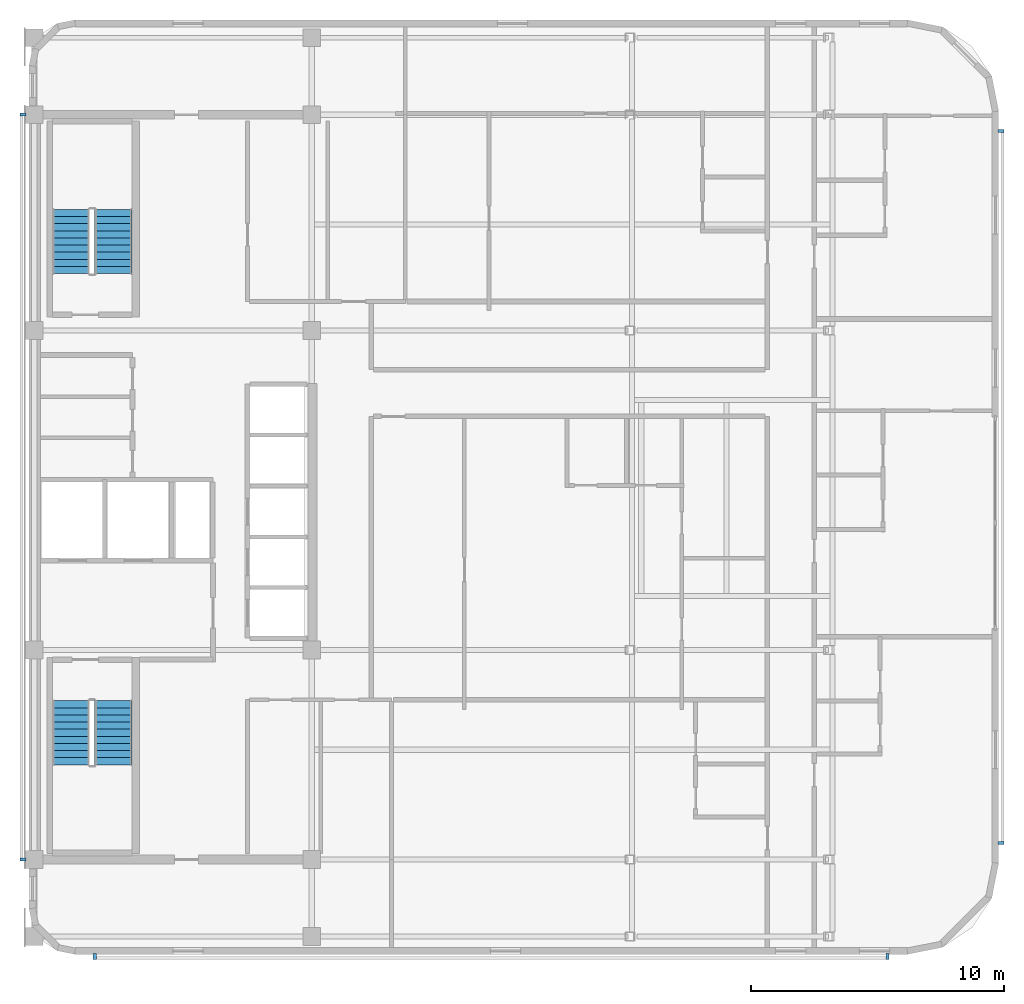
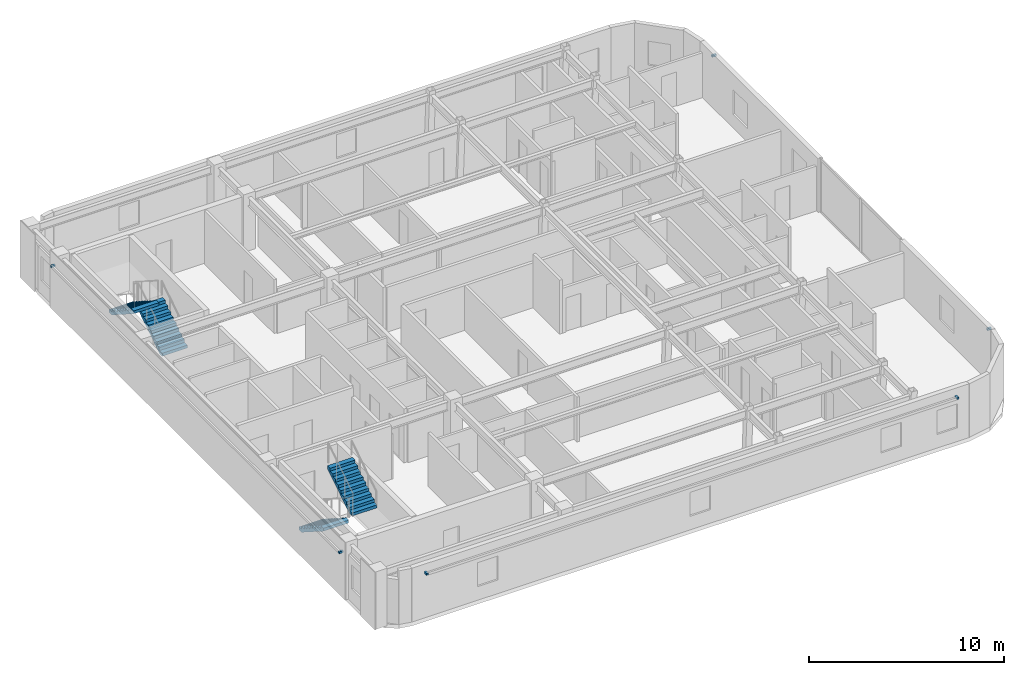
# One storey, part 7 of 10: 6 discrete accessories, 4 stair flights, 2 elements without a shape of their own.
"""IFC4 building model written with IfcOpenShell, lengths in metres."""

from ifc_helpers import new_model, si_unit, direction, frame, origin, origin_2d, place, context, subcontext, project, spatial, polyline, rectangle, outline, extrude, material, type_object, element, aggregate, save


model = new_model("IFC4")

# Units and contexts
model_context = context("Model", 3, precision=1e-05, world=origin(), true_north=direction((0.0, 1.0)))
body_context = subcontext(model_context, "Body", "Model", "MODEL_VIEW")
ifc_project = project(units=[si_unit("LENGTHUNIT", "METRE"), si_unit("AREAUNIT", "SQUARE_METRE"), si_unit("VOLUMEUNIT", "CUBIC_METRE"), si_unit("PLANEANGLEUNIT", "RADIAN"), si_unit("MASSUNIT", "GRAM", prefix="KILO")], contexts=[model_context])

# Site, building, storey
site_placement = place(None, origin())
site = spatial("IfcSite", under=ifc_project, at=site_placement, CompositionType="ELEMENT")
building_placement = place(site_placement, origin())
building = spatial("IfcBuilding", under=site, at=building_placement, Name="Ochreholt Gables", CompositionType="ELEMENT")
storey_placement = place(building_placement, frame((0.0, 0.0, 223.800048828125)))
storey = spatial("IfcBuildingStorey", under=building, at=storey_placement, Name="L58", CompositionType="ELEMENT", Elevation=223.800048828125)

# Stair, stair flights
ifc_material_1 = material(Name="Concrete 40 MPa", Category="concrete")
stair_type_1 = type_object("IfcStairType", Name="STAIR-CORE-ST-1", PredefinedType="HALF_TURN_STAIR", material=ifc_material_1)
stair_1_placement = place(storey_placement, origin())
stair_1 = element("IfcStair", 1, at=stair_1_placement, inside=storey, type_object=stair_type_1, Name="L58 Core Exit Stair 1", PredefinedType="HALF_TURN_STAIR")
stair_flight_type = type_object("IfcStairFlightType", Name="FLIGHT-ST-1480-1800", PredefinedType="STRAIGHT", material=ifc_material_1)
stair_flight_1_placement = place(storey_placement, frame((25.659912109375, 15.5400390625, 0.0), z_axis=(0.0, 0.0, 1.0), x_axis=(0.0, -1.0, 0.0)))
stair_flight_1 = element("IfcStairFlight", 2, at=stair_flight_1_placement, type_object=stair_flight_type, Name="ST-1 flight 1", NumberOfRisers=10, NumberOfTreads=9, PredefinedType="STRAIGHT", RiserHeight=0.18, TreadLength=0.282, context=body_context, shape_type="SweptSolid", body=[
    extrude(outline(polyline([(0.0, 0.0), (0.0, 0.179931640625), (0.281982421875, 0.179931640625), (0.281982421875, 0.360107421875), (0.56396484375, 0.360107421875), (0.56396484375, 0.5400390625), (0.845947265625, 0.5400390625), (0.845947265625, 0.719970703125), (1.1279296875, 0.719970703125), (1.1279296875, 0.89990234375), (1.409912109375, 0.89990234375), (1.409912109375, 1.080078125), (1.69189453125, 1.080078125), (1.69189453125, 1.260009765625), (1.97412109375, 1.260009765625), (1.97412109375, 1.43994140625), (2.256103515625, 1.43994140625), (2.256103515625, 1.6201171875), (2.5380859375, 1.6201171875), (2.5380859375, 1.800048828125), (2.5380859375, 1.442138671875), (0.278564453125, 0.0), (0.0, 0.0)])), frame((0.0, 0.739990234375, 0.0), z_axis=(0.0, -1.0, 0.0), x_axis=(1.0, 0.0, 0.0)), (0.0, 0.0, 1.0), 1.47998046875),
])
stair_flight_2_placement = place(storey_placement, frame((27.340087890625, 13.001953125, 1.800048828125), z_axis=(0.0, 0.0, 1.0), x_axis=(0.0, 1.0, 0.0)))
stair_flight_2 = element("IfcStairFlight", 3, at=stair_flight_2_placement, type_object=stair_flight_type, Name="ST-1 flight 2", NumberOfRisers=10, NumberOfTreads=9, PredefinedType="STRAIGHT", RiserHeight=0.18, TreadLength=0.282, context=body_context, shape_type="SweptSolid", body=[
    extrude(outline(polyline([(0.0, 0.0), (0.0, 0.179931640625), (0.281982421875, 0.179931640625), (0.281982421875, 0.360107421875), (0.56396484375, 0.360107421875), (0.56396484375, 0.5400390625), (0.845947265625, 0.5400390625), (0.845947265625, 0.719970703125), (1.1279296875, 0.719970703125), (1.1279296875, 0.89990234375), (1.409912109375, 0.89990234375), (1.409912109375, 1.080078125), (1.69189453125, 1.080078125), (1.69189453125, 1.260009765625), (1.97412109375, 1.260009765625), (1.97412109375, 1.43994140625), (2.256103515625, 1.43994140625), (2.256103515625, 1.6201171875), (2.5380859375, 1.6201171875), (2.5380859375, 1.800048828125), (2.5380859375, 1.442138671875), (0.278564453125, 0.0), (0.0, 0.0)])), frame((0.0, 0.739990234375, 0.0), z_axis=(0.0, -1.0, 0.0), x_axis=(1.0, 0.0, 0.0)), (0.0, 0.0, 1.0), 1.47998046875),
])
aggregate(stair_1, [stair_flight_1, stair_flight_2])

stair_type_2 = type_object("IfcStairType", Name="STAIR-CORE-ST-2", PredefinedType="HALF_TURN_STAIR", material=ifc_material_1)
stair_2_placement = place(storey_placement, origin())
stair_2 = element("IfcStair", 4, at=stair_2_placement, inside=storey, type_object=stair_type_2, Name="L58 Core Exit Stair 2", PredefinedType="HALF_TURN_STAIR")
stair_flight_3_placement = place(storey_placement, frame((27.340087890625, 32.4599609375, 0.0), z_axis=(0.0, 0.0, 1.0), x_axis=(0.0, 1.0, 0.0)))
stair_flight_3 = element("IfcStairFlight", 5, at=stair_flight_3_placement, type_object=stair_flight_type, Name="ST-2 flight 1", NumberOfRisers=10, NumberOfTreads=9, PredefinedType="STRAIGHT", RiserHeight=0.18, TreadLength=0.282, context=body_context, shape_type="SweptSolid", body=[
    extrude(outline(polyline([(0.0, 0.0), (0.0, 0.179931640625), (0.281982421875, 0.179931640625), (0.281982421875, 0.360107421875), (0.56396484375, 0.360107421875), (0.56396484375, 0.5400390625), (0.845947265625, 0.5400390625), (0.845947265625, 0.719970703125), (1.1279296875, 0.719970703125), (1.1279296875, 0.89990234375), (1.409912109375, 0.89990234375), (1.409912109375, 1.080078125), (1.69189453125, 1.080078125), (1.69189453125, 1.260009765625), (1.97412109375, 1.260009765625), (1.97412109375, 1.43994140625), (2.256103515625, 1.43994140625), (2.256103515625, 1.6201171875), (2.5380859375, 1.6201171875), (2.5380859375, 1.800048828125), (2.5380859375, 1.442138671875), (0.278564453125, 0.0), (0.0, 0.0)])), frame((0.0, 0.739990234375, 0.0), z_axis=(0.0, -1.0, 0.0), x_axis=(1.0, 0.0, 0.0)), (0.0, 0.0, 1.0), 1.47998046875),
])
stair_flight_4_placement = place(storey_placement, frame((25.659912109375, 34.998046875, 1.800048828125), z_axis=(0.0, 0.0, 1.0), x_axis=(0.0, -1.0, 0.0)))
stair_flight_4 = element("IfcStairFlight", 6, at=stair_flight_4_placement, type_object=stair_flight_type, Name="ST-2 flight 2", NumberOfRisers=10, NumberOfTreads=9, PredefinedType="STRAIGHT", RiserHeight=0.18, TreadLength=0.282, context=body_context, shape_type="SweptSolid", body=[
    extrude(outline(polyline([(0.0, 0.0), (0.0, 0.179931640625), (0.281982421875, 0.179931640625), (0.281982421875, 0.360107421875), (0.56396484375, 0.360107421875), (0.56396484375, 0.5400390625), (0.845947265625, 0.5400390625), (0.845947265625, 0.719970703125), (1.1279296875, 0.719970703125), (1.1279296875, 0.89990234375), (1.409912109375, 0.89990234375), (1.409912109375, 1.080078125), (1.69189453125, 1.080078125), (1.69189453125, 1.260009765625), (1.97412109375, 1.260009765625), (1.97412109375, 1.43994140625), (2.256103515625, 1.43994140625), (2.256103515625, 1.6201171875), (2.5380859375, 1.6201171875), (2.5380859375, 1.800048828125), (2.5380859375, 1.442138671875), (0.278564453125, 0.0), (0.0, 0.0)])), frame((0.0, 0.739990234375, 0.0), z_axis=(0.0, -1.0, 0.0), x_axis=(1.0, 0.0, 0.0)), (0.0, 0.0, 1.0), 1.47998046875),
])
aggregate(stair_2, [stair_flight_3, stair_flight_4])

# Discrete accessories
ifc_material_2 = material(Name="Extruded Aluminium Standoff Bracket", Category="aluminium")
discrete_accessory_type = type_object("IfcDiscreteAccessoryType", Name="ACC-BRACKET-AL", PredefinedType="BRACKET", material=ifc_material_2)
for number, where, z_axis, x_axis, name in (
    (7, (26.60009765625, 5.409912109375, 2.77978515625), (0.0, 0.0, 1.0), (1.0, 0.0, 0.0), "L58 Baguette Standoff Bracket S1-1"),
    (8, (58.0, 5.409912109375, 2.77978515625), (0.0, 0.0, 1.0), (1.0, 0.0, 0.0), "L58 Baguette Standoff Bracket S1-2"),
    (9, (62.489990234375, 9.89990234375, 2.77978515625), (0.0, 0.0, 1.0), (0.0, 1.0, 0.0), "L58 Baguette Standoff Bracket E1-1"),
    (10, (62.489990234375, 38.10009765625, 2.77978515625), (0.0, 0.0, 1.0), (0.0, 1.0, 0.0), "L58 Baguette Standoff Bracket E1-2"),
    (11, (23.760009765625, 38.75, 2.77978515625), (0.0, 0.0, 1.0), (0.0, -1.0, 0.0), "L58 Baguette Standoff Bracket W1-1"),
    (12, (23.760009765625, 9.25, 2.77978515625), (0.0, 0.0, 1.0), (0.0, -1.0, 0.0), "L58 Baguette Standoff Bracket W1-2"),
):
    element("IfcDiscreteAccessory", number, at=place(storey_placement, frame(where, z_axis=z_axis, x_axis=x_axis)), inside=storey, type_object=discrete_accessory_type, Name=name, PredefinedType="BRACKET", context=body_context, shape_type="SweptSolid", body=[
        extrude(rectangle(XDim=0.1201171875, YDim=0.239990234375, at=origin_2d()), origin(), (0.0, 0.0, 1.0), 0.1201171875),
    ])

save(model, "model.ifc")
